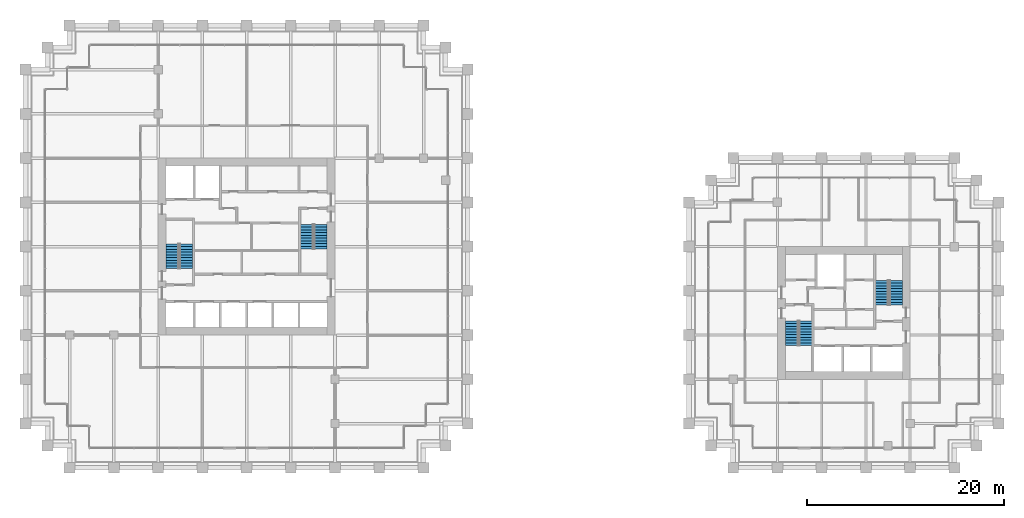
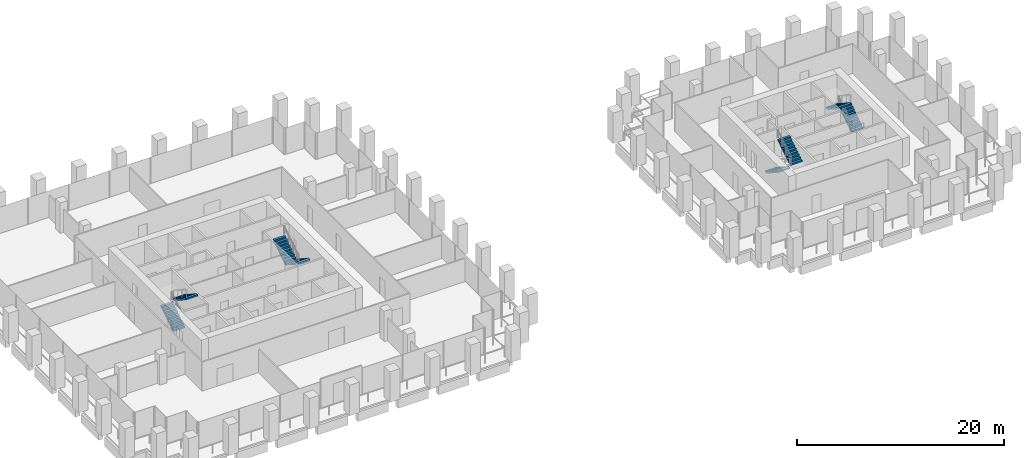
# One storey, part 54 of 56: 8 stair flights, 4 elements without a shape of their own.
"""IFC4 building model written with IfcOpenShell, lengths in metres."""

from ifc_helpers import new_model, si_unit, direction, frame, origin, place, context, subcontext, project, spatial, polyline, outline, extrude, material, type_object, element, aggregate, save


model = new_model("IFC4")

# Units and contexts
model_context = context("Model", 3, precision=1e-05, world=origin(), true_north=direction((0.0, 1.0)))
body_context = subcontext(model_context, "Body", "Model", "MODEL_VIEW")
ifc_project = project(units=[si_unit("LENGTHUNIT", "METRE"), si_unit("AREAUNIT", "SQUARE_METRE"), si_unit("VOLUMEUNIT", "CUBIC_METRE"), si_unit("PLANEANGLEUNIT", "RADIAN"), si_unit("MASSUNIT", "GRAM", prefix="KILO")], contexts=[model_context])

# Site, building, storey
site_placement = place(None, origin())
site = spatial("IfcSite", under=ifc_project, at=site_placement, CompositionType="ELEMENT")
building_placement = place(site_placement, origin())
building = spatial("IfcBuilding", under=site, at=building_placement, Name="Altepetl Exchange Towers", CompositionType="ELEMENT")
storey_placement = place(building_placement, frame((0.0, 0.0, 79.800048828125)))
storey = spatial("IfcBuildingStorey", under=building, at=storey_placement, Name="L19", CompositionType="ELEMENT", Elevation=79.800048828125)

# Stair, stair flights
ifc_material = material(Name="Concrete C40/50", Category="concrete")
stair_type = type_object("IfcStairType", Name="Exit stair 1300 flights dogleg", PredefinedType="HALF_TURN_STAIR", material=ifc_material)
stair_1_placement = place(storey_placement, origin())
stair_1 = element("IfcStair", 1, at=stair_1_placement, inside=storey, type_object=stair_type, Name="Exit stair 1", PredefinedType="HALF_TURN_STAIR")
stair_flight_type = type_object("IfcStairFlightType", Name="Stair flight 1300 wide", PredefinedType="STRAIGHT", material=ifc_material)
stair_flight_1_placement = place(storey_placement, frame((41.949951171875, 47.25, 0.0), z_axis=(0.0, 0.0, 1.0), x_axis=(0.0, 1.0, 0.0)))
stair_flight_1 = element("IfcStairFlight", 2, at=stair_flight_1_placement, type_object=stair_flight_type, Name="ST-A1c flight 1", NumberOfRisers=10, NumberOfTreads=9, PredefinedType="STRAIGHT", RiserHeight=0.18, TreadLength=0.28, context=body_context, shape_type="SweptSolid", body=[
    extrude(outline(polyline([(0.0, 0.0), (0.0, 0.179931640625), (0.280029296875, 0.179931640625), (0.280029296875, 0.360107421875), (0.56005859375, 0.360107421875), (0.56005859375, 0.5400390625), (0.840087890625, 0.5400390625), (0.840087890625, 0.719970703125), (1.1201171875, 0.719970703125), (1.1201171875, 0.89990234375), (1.39990234375, 0.89990234375), (1.39990234375, 1.080078125), (1.679931640625, 1.080078125), (1.679931640625, 1.260009765625), (1.9599609375, 1.260009765625), (1.9599609375, 1.43994140625), (2.239990234375, 1.43994140625), (2.239990234375, 1.6201171875), (2.52001953125, 1.6201171875), (2.52001953125, 1.800048828125), (2.52001953125, 1.44189453125), (0.277099609375, 0.0), (0.0, 0.0)])), frame((0.0, 0.64990234375, 0.0), z_axis=(0.0, -1.0, 0.0), x_axis=(1.0, 0.0, 0.0)), (0.0, 0.0, 1.0), 1.300048828125),
])
stair_flight_2_placement = place(storey_placement, frame((43.35009765625, 49.77001953125, 1.800048828125), z_axis=(0.0, 0.0, 1.0), x_axis=(0.0, -1.0, 0.0)))
stair_flight_2 = element("IfcStairFlight", 3, at=stair_flight_2_placement, type_object=stair_flight_type, Name="ST-A1c flight 2", NumberOfRisers=10, NumberOfTreads=9, PredefinedType="STRAIGHT", RiserHeight=0.18, TreadLength=0.28, context=body_context, shape_type="SweptSolid", body=[
    extrude(outline(polyline([(0.0, 0.0), (0.0, 0.179931640625), (0.280029296875, 0.179931640625), (0.280029296875, 0.360107421875), (0.56005859375, 0.360107421875), (0.56005859375, 0.5400390625), (0.840087890625, 0.5400390625), (0.840087890625, 0.719970703125), (1.1201171875, 0.719970703125), (1.1201171875, 0.89990234375), (1.39990234375, 0.89990234375), (1.39990234375, 1.080078125), (1.679931640625, 1.080078125), (1.679931640625, 1.260009765625), (1.9599609375, 1.260009765625), (1.9599609375, 1.43994140625), (2.239990234375, 1.43994140625), (2.239990234375, 1.6201171875), (2.52001953125, 1.6201171875), (2.52001953125, 1.800048828125), (2.52001953125, 1.44189453125), (0.277099609375, 0.0), (0.0, 0.0)])), frame((0.0, 0.64990234375, 0.0), z_axis=(0.0, -1.0, 0.0), x_axis=(1.0, 0.0, 0.0)), (0.0, 0.0, 1.0), 1.300048828125),
])
aggregate(stair_1, [stair_flight_1, stair_flight_2])

stair_2_placement = place(storey_placement, origin())
stair_2 = element("IfcStair", 4, at=stair_2_placement, inside=storey, type_object=stair_type, Name="Exit stair 2", PredefinedType="HALF_TURN_STAIR")
stair_flight_3_placement = place(storey_placement, frame((57.050048828125, 51.75, 0.0), z_axis=(0.0, 0.0, 1.0), x_axis=(0.0, -1.0, 0.0)))
stair_flight_3 = element("IfcStairFlight", 5, at=stair_flight_3_placement, type_object=stair_flight_type, Name="ST-A2c flight 1", NumberOfRisers=10, NumberOfTreads=9, PredefinedType="STRAIGHT", RiserHeight=0.18, TreadLength=0.28, context=body_context, shape_type="SweptSolid", body=[
    extrude(outline(polyline([(0.0, 0.0), (0.0, 0.179931640625), (0.280029296875, 0.179931640625), (0.280029296875, 0.360107421875), (0.56005859375, 0.360107421875), (0.56005859375, 0.5400390625), (0.840087890625, 0.5400390625), (0.840087890625, 0.719970703125), (1.1201171875, 0.719970703125), (1.1201171875, 0.89990234375), (1.39990234375, 0.89990234375), (1.39990234375, 1.080078125), (1.679931640625, 1.080078125), (1.679931640625, 1.260009765625), (1.9599609375, 1.260009765625), (1.9599609375, 1.43994140625), (2.239990234375, 1.43994140625), (2.239990234375, 1.6201171875), (2.52001953125, 1.6201171875), (2.52001953125, 1.800048828125), (2.52001953125, 1.44189453125), (0.277099609375, 0.0), (0.0, 0.0)])), frame((0.0, 0.64990234375, 0.0), z_axis=(0.0, -1.0, 0.0), x_axis=(1.0, 0.0, 0.0)), (0.0, 0.0, 1.0), 1.300048828125),
])
stair_flight_4_placement = place(storey_placement, frame((55.64990234375, 49.22998046875, 1.800048828125), z_axis=(0.0, 0.0, 1.0), x_axis=(0.0, 1.0, 0.0)))
stair_flight_4 = element("IfcStairFlight", 6, at=stair_flight_4_placement, type_object=stair_flight_type, Name="ST-A2c flight 2", NumberOfRisers=10, NumberOfTreads=9, PredefinedType="STRAIGHT", RiserHeight=0.18, TreadLength=0.28, context=body_context, shape_type="SweptSolid", body=[
    extrude(outline(polyline([(0.0, 0.0), (0.0, 0.179931640625), (0.280029296875, 0.179931640625), (0.280029296875, 0.360107421875), (0.56005859375, 0.360107421875), (0.56005859375, 0.5400390625), (0.840087890625, 0.5400390625), (0.840087890625, 0.719970703125), (1.1201171875, 0.719970703125), (1.1201171875, 0.89990234375), (1.39990234375, 0.89990234375), (1.39990234375, 1.080078125), (1.679931640625, 1.080078125), (1.679931640625, 1.260009765625), (1.9599609375, 1.260009765625), (1.9599609375, 1.43994140625), (2.239990234375, 1.43994140625), (2.239990234375, 1.6201171875), (2.52001953125, 1.6201171875), (2.52001953125, 1.800048828125), (2.52001953125, 1.44189453125), (0.277099609375, 0.0), (0.0, 0.0)])), frame((0.0, 0.64990234375, 0.0), z_axis=(0.0, -1.0, 0.0), x_axis=(1.0, 0.0, 0.0)), (0.0, 0.0, 1.0), 1.300048828125),
])
aggregate(stair_2, [stair_flight_3, stair_flight_4])

stair_3_placement = place(storey_placement, origin())
stair_3 = element("IfcStair", 7, at=stair_3_placement, inside=storey, type_object=stair_type, Name="Exit stair 1", PredefinedType="HALF_TURN_STAIR")
stair_flight_5_placement = place(storey_placement, frame((104.949951171875, 41.949951171875, 0.0), z_axis=(0.0, 0.0, 1.0), x_axis=(0.0, -1.0, 0.0)))
stair_flight_5 = element("IfcStairFlight", 8, at=stair_flight_5_placement, type_object=stair_flight_type, Name="ST-B1c flight 1", NumberOfRisers=10, NumberOfTreads=9, PredefinedType="STRAIGHT", RiserHeight=0.18, TreadLength=0.28, context=body_context, shape_type="SweptSolid", body=[
    extrude(outline(polyline([(0.0, 0.0), (0.0, 0.179931640625), (0.280029296875, 0.179931640625), (0.280029296875, 0.360107421875), (0.56005859375, 0.360107421875), (0.56005859375, 0.5400390625), (0.840087890625, 0.5400390625), (0.840087890625, 0.719970703125), (1.1201171875, 0.719970703125), (1.1201171875, 0.89990234375), (1.39990234375, 0.89990234375), (1.39990234375, 1.080078125), (1.679931640625, 1.080078125), (1.679931640625, 1.260009765625), (1.9599609375, 1.260009765625), (1.9599609375, 1.43994140625), (2.239990234375, 1.43994140625), (2.239990234375, 1.6201171875), (2.52001953125, 1.6201171875), (2.52001953125, 1.800048828125), (2.52001953125, 1.44189453125), (0.277099609375, 0.0), (0.0, 0.0)])), frame((0.0, 0.64990234375, 0.0), z_axis=(0.0, -1.0, 0.0), x_axis=(1.0, 0.0, 0.0)), (0.0, 0.0, 1.0), 1.300048828125),
])
stair_flight_6_placement = place(storey_placement, frame((106.35009765625, 39.429931640625, 1.800048828125), z_axis=(0.0, 0.0, 1.0), x_axis=(0.0, 1.0, 0.0)))
stair_flight_6 = element("IfcStairFlight", 9, at=stair_flight_6_placement, type_object=stair_flight_type, Name="ST-B1c flight 2", NumberOfRisers=10, NumberOfTreads=9, PredefinedType="STRAIGHT", RiserHeight=0.18, TreadLength=0.28, context=body_context, shape_type="SweptSolid", body=[
    extrude(outline(polyline([(0.0, 0.0), (0.0, 0.179931640625), (0.280029296875, 0.179931640625), (0.280029296875, 0.360107421875), (0.56005859375, 0.360107421875), (0.56005859375, 0.5400390625), (0.840087890625, 0.5400390625), (0.840087890625, 0.719970703125), (1.1201171875, 0.719970703125), (1.1201171875, 0.89990234375), (1.39990234375, 0.89990234375), (1.39990234375, 1.080078125), (1.679931640625, 1.080078125), (1.679931640625, 1.260009765625), (1.9599609375, 1.260009765625), (1.9599609375, 1.43994140625), (2.239990234375, 1.43994140625), (2.239990234375, 1.6201171875), (2.52001953125, 1.6201171875), (2.52001953125, 1.800048828125), (2.52001953125, 1.44189453125), (0.277099609375, 0.0), (0.0, 0.0)])), frame((0.0, 0.64990234375, 0.0), z_axis=(0.0, -1.0, 0.0), x_axis=(1.0, 0.0, 0.0)), (0.0, 0.0, 1.0), 1.300048828125),
])
aggregate(stair_3, [stair_flight_5, stair_flight_6])

stair_4_placement = place(storey_placement, origin())
stair_4 = element("IfcStair", 10, at=stair_4_placement, inside=storey, type_object=stair_type, Name="Exit stair 2", PredefinedType="HALF_TURN_STAIR")
stair_flight_7_placement = place(storey_placement, frame((115.550048828125, 43.550048828125, 0.0), z_axis=(0.0, 0.0, 1.0), x_axis=(0.0, 1.0, 0.0)))
stair_flight_7 = element("IfcStairFlight", 11, at=stair_flight_7_placement, type_object=stair_flight_type, Name="ST-B2c flight 1", NumberOfRisers=10, NumberOfTreads=9, PredefinedType="STRAIGHT", RiserHeight=0.18, TreadLength=0.28, context=body_context, shape_type="SweptSolid", body=[
    extrude(outline(polyline([(0.0, 0.0), (0.0, 0.179931640625), (0.280029296875, 0.179931640625), (0.280029296875, 0.360107421875), (0.56005859375, 0.360107421875), (0.56005859375, 0.5400390625), (0.840087890625, 0.5400390625), (0.840087890625, 0.719970703125), (1.1201171875, 0.719970703125), (1.1201171875, 0.89990234375), (1.39990234375, 0.89990234375), (1.39990234375, 1.080078125), (1.679931640625, 1.080078125), (1.679931640625, 1.260009765625), (1.9599609375, 1.260009765625), (1.9599609375, 1.43994140625), (2.239990234375, 1.43994140625), (2.239990234375, 1.6201171875), (2.52001953125, 1.6201171875), (2.52001953125, 1.800048828125), (2.52001953125, 1.44189453125), (0.277099609375, 0.0), (0.0, 0.0)])), frame((0.0, 0.64990234375, 0.0), z_axis=(0.0, -1.0, 0.0), x_axis=(1.0, 0.0, 0.0)), (0.0, 0.0, 1.0), 1.300048828125),
])
stair_flight_8_placement = place(storey_placement, frame((114.14990234375, 46.070068359375, 1.800048828125), z_axis=(0.0, 0.0, 1.0), x_axis=(0.0, -1.0, 0.0)))
stair_flight_8 = element("IfcStairFlight", 12, at=stair_flight_8_placement, type_object=stair_flight_type, Name="ST-B2c flight 2", NumberOfRisers=10, NumberOfTreads=9, PredefinedType="STRAIGHT", RiserHeight=0.18, TreadLength=0.28, context=body_context, shape_type="SweptSolid", body=[
    extrude(outline(polyline([(0.0, 0.0), (0.0, 0.179931640625), (0.280029296875, 0.179931640625), (0.280029296875, 0.360107421875), (0.56005859375, 0.360107421875), (0.56005859375, 0.5400390625), (0.840087890625, 0.5400390625), (0.840087890625, 0.719970703125), (1.1201171875, 0.719970703125), (1.1201171875, 0.89990234375), (1.39990234375, 0.89990234375), (1.39990234375, 1.080078125), (1.679931640625, 1.080078125), (1.679931640625, 1.260009765625), (1.9599609375, 1.260009765625), (1.9599609375, 1.43994140625), (2.239990234375, 1.43994140625), (2.239990234375, 1.6201171875), (2.52001953125, 1.6201171875), (2.52001953125, 1.800048828125), (2.52001953125, 1.44189453125), (0.277099609375, 0.0), (0.0, 0.0)])), frame((0.0, 0.64990234375, 0.0), z_axis=(0.0, -1.0, 0.0), x_axis=(1.0, 0.0, 0.0)), (0.0, 0.0, 1.0), 1.300048828125),
])
aggregate(stair_4, [stair_flight_7, stair_flight_8])

save(model, "model.ifc")
